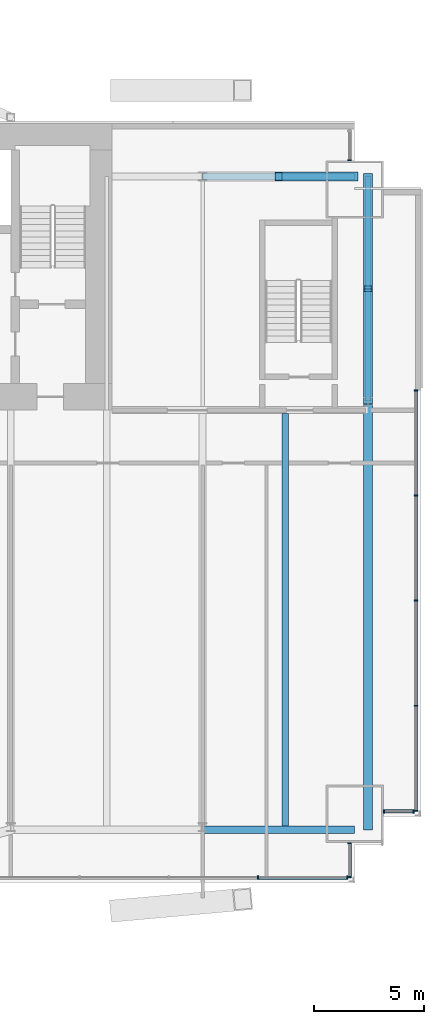
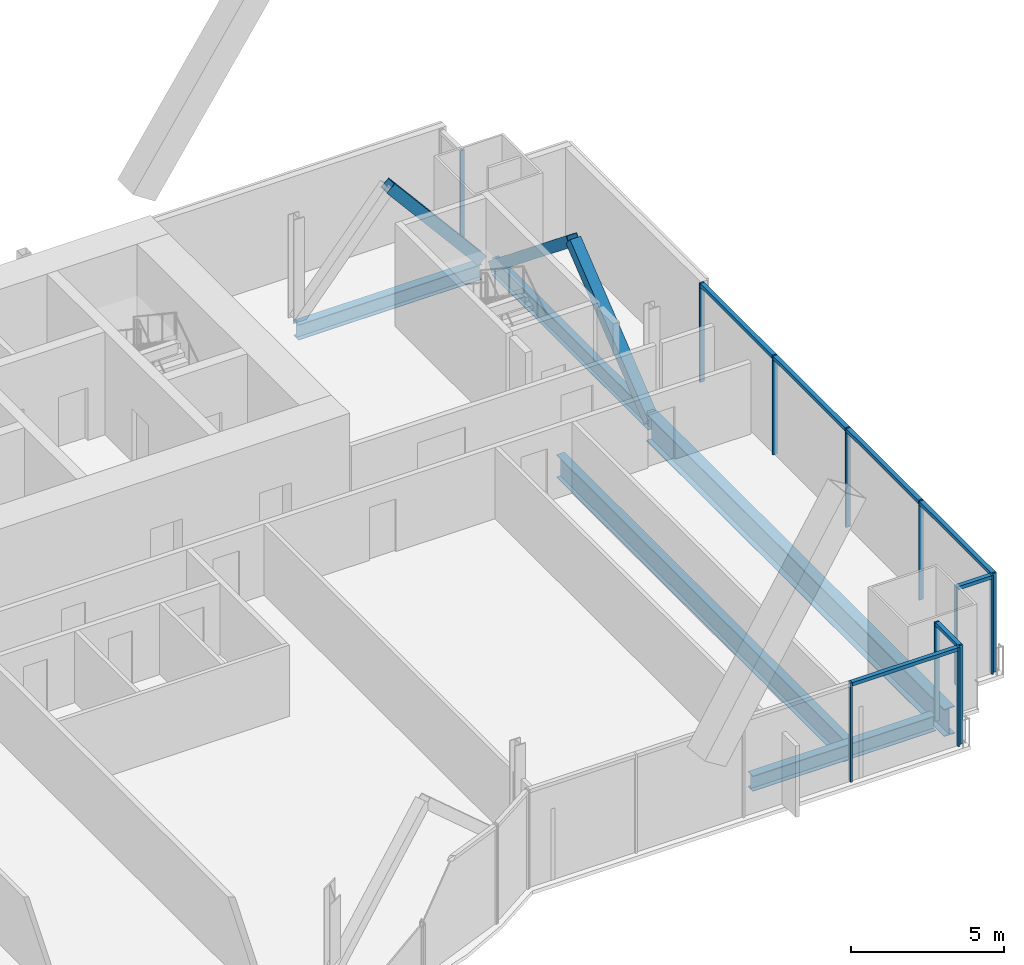
# One storey, part 13 of 22: 22 members, 5 beams, 5 elements without a shape of their own.
"""IFC4 building model written with IfcOpenShell, lengths in metres."""

from ifc_helpers import new_model, si_unit, direction, frame, origin, origin_2d, place, context, subcontext, project, spatial, rectangle, hollow_rectangle, i_section, extrude, material, material_profile, profile_set, type_object, element, aggregate, save


model = new_model("IFC4")

# Units and contexts
model_context = context("Model", 3, precision=1e-05, world=origin(), true_north=direction((0.0, 1.0)))
body_context = subcontext(model_context, "Body", "Model", "MODEL_VIEW")
ifc_project = project(units=[si_unit("LENGTHUNIT", "METRE"), si_unit("AREAUNIT", "SQUARE_METRE"), si_unit("VOLUMEUNIT", "CUBIC_METRE"), si_unit("PLANEANGLEUNIT", "RADIAN"), si_unit("MASSUNIT", "GRAM", prefix="KILO")], contexts=[model_context])

# Site, building, storey
site_placement = place(None, origin())
site = spatial("IfcSite", under=ifc_project, at=site_placement, CompositionType="ELEMENT")
building_placement = place(site_placement, origin())
building = spatial("IfcBuilding", under=site, at=building_placement, Name="Bicima Exchange Tower", CompositionType="ELEMENT")
storey_placement = place(building_placement, frame((0.0, 0.0, 169.10009765625)))
storey = spatial("IfcBuildingStorey", under=building, at=storey_placement, Name="L37", CompositionType="ELEMENT", Elevation=169.10009765625)

# Curtain wall, members
ifc_material_1 = material(Name="Anodised bronze aluminium", Category="aluminium")
curtain_wall_type_1 = type_object("IfcCurtainWallType", Name="End face glass wall", PredefinedType="NOTDEFINED", material=ifc_material_1)
curtain_wall_1_placement = place(storey_placement, origin())
curtain_wall_1 = element("IfcCurtainWall", 1, at=curtain_wall_1_placement, inside=storey, type_object=curtain_wall_type_1, Name="End face glass wall L37 run 19", PredefinedType="NOTDEFINED")
ifc_material_profile_1 = material_profile(ifc_material_1, rectangle(XDim=0.159912109375, YDim=0.06005859375, at=origin_2d()))
ifc_profile_set_1 = profile_set([ifc_material_profile_1], Name="Anodised bronze aluminium")
member_type_1 = type_object("IfcMemberType", Name="End face glass wall mullion 60 x 160", PredefinedType="MULLION", material=ifc_profile_set_1)
member_1_placement = place(storey_placement, frame((35.77001953125, -31.176025390625, 0.0), z_axis=(0.0, 0.0, 1.0), x_axis=(-1.0, 0.0, 0.0)))
member_1 = element("IfcMember", 2, at=member_1_placement, type_object=member_type_1, Name="End face glass wall mullion 1", PredefinedType="MULLION", context=body_context, shape_type="SweptSolid", body=[
    extrude(rectangle(XDim=0.159912109375, YDim=0.06005859375, at=origin_2d()), origin(), (0.0, 0.0, 1.0), 3.949951171875),
])
member_2_placement = place(storey_placement, frame((35.77001953125, -26.409423828125, 0.0), z_axis=(0.0, 0.0, 1.0), x_axis=(-1.0, 0.0, 0.0)))
member_2 = element("IfcMember", 3, at=member_2_placement, type_object=member_type_1, Name="End face glass wall mullion 2", PredefinedType="MULLION", context=body_context, shape_type="SweptSolid", body=[
    extrude(rectangle(XDim=0.159912109375, YDim=0.06005859375, at=origin_2d()), origin(), (0.0, 0.0, 1.0), 3.949951171875),
])
member_3_placement = place(storey_placement, frame((35.77001953125, -21.64306640625, 0.0), z_axis=(0.0, 0.0, 1.0), x_axis=(-1.0, 0.0, 0.0)))
member_3 = element("IfcMember", 4, at=member_3_placement, type_object=member_type_1, Name="End face glass wall mullion 3", PredefinedType="MULLION", context=body_context, shape_type="SweptSolid", body=[
    extrude(rectangle(XDim=0.159912109375, YDim=0.06005859375, at=origin_2d()), origin(), (0.0, 0.0, 1.0), 3.949951171875),
])
member_4_placement = place(storey_placement, frame((35.77001953125, -16.87646484375, 0.0), z_axis=(0.0, 0.0, 1.0), x_axis=(-1.0, 0.0, 0.0)))
member_4 = element("IfcMember", 5, at=member_4_placement, type_object=member_type_1, Name="End face glass wall mullion 4", PredefinedType="MULLION", context=body_context, shape_type="SweptSolid", body=[
    extrude(rectangle(XDim=0.159912109375, YDim=0.06005859375, at=origin_2d()), origin(), (0.0, 0.0, 1.0), 3.949951171875),
])
member_5_placement = place(storey_placement, frame((35.77001953125, -12.110107421875, 0.0), z_axis=(0.0, 0.0, 1.0), x_axis=(-1.0, 0.0, 0.0)))
member_5 = element("IfcMember", 6, at=member_5_placement, type_object=member_type_1, Name="End face glass wall mullion 5", PredefinedType="MULLION", context=body_context, shape_type="SweptSolid", body=[
    extrude(rectangle(XDim=0.159912109375, YDim=0.06005859375, at=origin_2d()), origin(), (0.0, 0.0, 1.0), 3.949951171875),
])
ifc_material_profile_2 = material_profile(ifc_material_1, rectangle(XDim=0.159912109375, YDim=0.139892578125, at=origin_2d()))
ifc_profile_set_2 = profile_set([ifc_material_profile_2], Name="Anodised bronze aluminium")
member_type_2 = type_object("IfcMemberType", Name="End face glass wall transom 140 x 160", PredefinedType="USERDEFINED", material=ifc_profile_set_2)
member_6_placement = place(storey_placement, frame((35.77001953125, -31.14599609375, 3.8798828125), z_axis=(0.0, 1.0, 0.0), x_axis=(-1.0, 0.0, 0.0)))
member_6 = element("IfcMember", 7, at=member_6_placement, type_object=member_type_2, Name="End face glass wall transom 1.1", ObjectType="TRANSOM", PredefinedType="USERDEFINED", context=body_context, shape_type="SweptSolid", body=[
    extrude(rectangle(XDim=0.159912109375, YDim=0.139892578125, at=origin_2d()), origin(), (0.0, 0.0, 1.0), 4.70654296875),
])
member_7_placement = place(storey_placement, frame((35.77001953125, -26.37939453125, 3.8798828125), z_axis=(0.0, 1.0, 0.0), x_axis=(-1.0, 0.0, 0.0)))
member_7 = element("IfcMember", 8, at=member_7_placement, type_object=member_type_2, Name="End face glass wall transom 2.1", ObjectType="TRANSOM", PredefinedType="USERDEFINED", context=body_context, shape_type="SweptSolid", body=[
    extrude(rectangle(XDim=0.159912109375, YDim=0.139892578125, at=origin_2d()), origin(), (0.0, 0.0, 1.0), 4.706298828125),
])
member_8_placement = place(storey_placement, frame((35.77001953125, -21.613037109375, 3.8798828125), z_axis=(0.0, 1.0, 0.0), x_axis=(-1.0, 0.0, 0.0)))
member_8 = element("IfcMember", 9, at=member_8_placement, type_object=member_type_2, Name="End face glass wall transom 3.1", ObjectType="TRANSOM", PredefinedType="USERDEFINED", context=body_context, shape_type="SweptSolid", body=[
    extrude(rectangle(XDim=0.159912109375, YDim=0.139892578125, at=origin_2d()), origin(), (0.0, 0.0, 1.0), 4.70654296875),
])
member_9_placement = place(storey_placement, frame((35.77001953125, -16.846435546875, 3.8798828125), z_axis=(0.0, 1.0, 0.0), x_axis=(-1.0, 0.0, 0.0)))
member_9 = element("IfcMember", 10, at=member_9_placement, type_object=member_type_2, Name="End face glass wall transom 4.1", ObjectType="TRANSOM", PredefinedType="USERDEFINED", context=body_context, shape_type="SweptSolid", body=[
    extrude(rectangle(XDim=0.159912109375, YDim=0.139892578125, at=origin_2d()), origin(), (0.0, 0.0, 1.0), 4.70654296875),
])
aggregate(curtain_wall_1, [member_1, member_2, member_3, member_4, member_5, member_6, member_7, member_8, member_9])

# Beams
ifc_material_2 = material(Name="Steel ASTM A992 Gr 50", Category="steel")
ifc_material_profile_3 = material_profile(ifc_material_2, i_section(OverallWidth=0.256591796875, OverallDepth=0.693359375, WebThickness=0.014404296875, FlangeThickness=0.023681640625, at=origin_2d()))
ifc_profile_set_3 = profile_set([ifc_material_profile_3], Name="Steel ASTM A992 Gr 50")
beam_type_1 = type_object("IfcBeamType", Name="End girder W27x114", PredefinedType="BEAM", material=ifc_profile_set_3)
beam_1_placement = place(storey_placement, frame((33.60009765625, -2.39990234375, -0.496826171875), z_axis=(0.0, -1.0, 0.0), x_axis=(1.0, 0.0, 0.0)))
element("IfcBeam", 11, at=beam_1_placement, inside=storey, type_object=beam_type_1, Name="End girder", PredefinedType="BEAM", context=body_context, shape_type="SweptSolid", body=[
    extrude(i_section(OverallWidth=0.256591796875, OverallDepth=0.693359375, WebThickness=0.014404296875, FlangeThickness=0.023681640625, at=origin_2d()), origin(), (0.0, 0.0, 1.0), 10.2001953125),
])
ifc_material_profile_4 = material_profile(ifc_material_2, i_section(OverallWidth=0.4013671875, OverallDepth=1.089599609375, WebThickness=0.01806640625, FlangeThickness=0.031005859375, at=origin_2d()))
ifc_profile_set_4 = profile_set([ifc_material_profile_4], Name="Steel ASTM A992 Gr 50")
beam_type_2 = type_object("IfcBeamType", Name="End girder W44x230", PredefinedType="BEAM", material=ifc_profile_set_4)
beam_2_placement = place(storey_placement, frame((33.60009765625, -12.60009765625, -0.69482421875), z_axis=(0.0, -1.0, 0.0), x_axis=(1.0, 0.0, 0.0)))
element("IfcBeam", 12, at=beam_2_placement, inside=storey, type_object=beam_type_2, Name="End girder", PredefinedType="BEAM", context=body_context, shape_type="SweptSolid", body=[
    extrude(i_section(OverallWidth=0.4013671875, OverallDepth=1.089599609375, WebThickness=0.01806640625, FlangeThickness=0.031005859375, at=origin_2d()), origin(), (0.0, 0.0, 1.0), 19.435791015625),
])
ifc_material_profile_5 = material_profile(ifc_material_2, i_section(OverallWidth=0.3046875, OverallDepth=0.904296875, WebThickness=0.01513671875, FlangeThickness=0.02001953125, at=origin_2d()))
ifc_profile_set_5 = profile_set([ifc_material_profile_5], Name="Steel ASTM A992 Gr 50")
beam_type_3 = type_object("IfcBeamType", Name="Floor beam W36x135", PredefinedType="JOIST", material=ifc_profile_set_5)
beam_3_placement = place(storey_placement, frame((29.85009765625, -13.15234375, -0.602294921875), z_axis=(0.0, -1.0, 0.0), x_axis=(1.0, 0.0, 0.0)))
element("IfcBeam", 13, at=beam_3_placement, inside=storey, type_object=beam_type_3, Name="Floor beam", PredefinedType="JOIST", context=body_context, shape_type="SweptSolid", body=[
    extrude(i_section(OverallWidth=0.3046875, OverallDepth=0.904296875, WebThickness=0.01513671875, FlangeThickness=0.02001953125, at=origin_2d()), origin(), (0.0, 0.0, 1.0), 18.720947265625),
])
ifc_material_profile_6 = material_profile(ifc_material_2, i_section(OverallWidth=0.3251953125, OverallDepth=0.612060546875, WebThickness=0.0126953125, FlangeThickness=0.01904296875, at=origin_2d()))
ifc_profile_set_6 = profile_set([ifc_material_profile_6], Name="Steel ASTM A992 Gr 50")
beam_type_4 = type_object("IfcBeamType", Name="Front girder W24x104", PredefinedType="BEAM", material=ifc_profile_set_6)
beam_4_placement = place(storey_placement, frame((26.10009765625, -32.035888671875, -0.456298828125), z_axis=(1.0, 0.0, 0.0), x_axis=(0.0, 1.0, 0.0)))
element("IfcBeam", 14, at=beam_4_placement, inside=storey, type_object=beam_type_4, Name="Front girder", PredefinedType="BEAM", context=body_context, shape_type="SweptSolid", body=[
    extrude(i_section(OverallWidth=0.3251953125, OverallDepth=0.612060546875, WebThickness=0.0126953125, FlangeThickness=0.01904296875, at=origin_2d()), origin(), (0.0, 0.0, 1.0), 6.89990234375),
])

# Curtain wall, members
curtain_wall_type_2 = type_object("IfcCurtainWallType", Name="Front glass wall", PredefinedType="NOTDEFINED", material=ifc_material_1)
curtain_wall_2_placement = place(storey_placement, origin())
curtain_wall_2 = element("IfcCurtainWall", 15, at=curtain_wall_2_placement, inside=storey, type_object=curtain_wall_type_2, Name="Front glass wall L37 run 16", PredefinedType="NOTDEFINED")
member_type_3 = type_object("IfcMemberType", Name="Front glass wall mullion 60 x 160", PredefinedType="MULLION", material=ifc_profile_set_1)
member_10_placement = place(storey_placement, frame((28.610595703125, -34.2060546875, 0.0), z_axis=(0.0, 0.0, 1.0), x_axis=(0.0, 1.0, 0.0)))
member_10 = element("IfcMember", 16, at=member_10_placement, type_object=member_type_3, Name="Front glass wall mullion 4", PredefinedType="MULLION", context=body_context, shape_type="SweptSolid", body=[
    extrude(rectangle(XDim=0.159912109375, YDim=0.06005859375, at=origin_2d()), origin(), (0.0, 0.0, 1.0), 3.949951171875),
])
member_11_placement = place(storey_placement, frame((32.659912109375, -34.2060546875, 0.0), z_axis=(0.0, 0.0, 1.0), x_axis=(0.0, 1.0, 0.0)))
member_11 = element("IfcMember", 17, at=member_11_placement, type_object=member_type_3, Name="Front glass wall mullion 5", PredefinedType="MULLION", context=body_context, shape_type="SweptSolid", body=[
    extrude(rectangle(XDim=0.159912109375, YDim=0.06005859375, at=origin_2d()), origin(), (0.0, 0.0, 1.0), 3.949951171875),
])

curtain_wall_3_placement = place(storey_placement, origin())
curtain_wall_3 = element("IfcCurtainWall", 18, at=curtain_wall_3_placement, inside=storey, type_object=curtain_wall_type_2, Name="Front glass wall L37 run 17", PredefinedType="NOTDEFINED")
member_12_placement = place(storey_placement, frame((32.77001953125, -34.176025390625, 0.0), z_axis=(0.0, 0.0, 1.0), x_axis=(-1.0, 0.0, 0.0)))
member_12 = element("IfcMember", 19, at=member_12_placement, type_object=member_type_3, Name="Front glass wall mullion 1", PredefinedType="MULLION", context=body_context, shape_type="SweptSolid", body=[
    extrude(rectangle(XDim=0.159912109375, YDim=0.06005859375, at=origin_2d()), origin(), (0.0, 0.0, 1.0), 3.949951171875),
])
member_13_placement = place(storey_placement, frame((32.77001953125, -32.64404296875, 0.0), z_axis=(0.0, 0.0, 1.0), x_axis=(-1.0, 0.0, 0.0)))
member_13 = element("IfcMember", 20, at=member_13_placement, type_object=member_type_3, Name="Front glass wall mullion 2", PredefinedType="MULLION", context=body_context, shape_type="SweptSolid", body=[
    extrude(rectangle(XDim=0.159912109375, YDim=0.06005859375, at=origin_2d()), origin(), (0.0, 0.0, 1.0), 3.949951171875),
])

curtain_wall_4_placement = place(storey_placement, origin())
curtain_wall_4 = element("IfcCurtainWall", 21, at=curtain_wall_4_placement, inside=storey, type_object=curtain_wall_type_2, Name="Front glass wall L37 run 18", PredefinedType="NOTDEFINED")
member_14_placement = place(storey_placement, frame((34.330078125, -31.2060546875, 0.0), z_axis=(0.0, 0.0, 1.0), x_axis=(0.0, 1.0, 0.0)))
member_14 = element("IfcMember", 22, at=member_14_placement, type_object=member_type_3, Name="Front glass wall mullion 1", PredefinedType="MULLION", context=body_context, shape_type="SweptSolid", body=[
    extrude(rectangle(XDim=0.159912109375, YDim=0.06005859375, at=origin_2d()), origin(), (0.0, 0.0, 1.0), 3.949951171875),
])
member_15_placement = place(storey_placement, frame((35.659912109375, -31.2060546875, 0.0), z_axis=(0.0, 0.0, 1.0), x_axis=(0.0, 1.0, 0.0)))
member_15 = element("IfcMember", 23, at=member_15_placement, type_object=member_type_3, Name="Front glass wall mullion 2", PredefinedType="MULLION", context=body_context, shape_type="SweptSolid", body=[
    extrude(rectangle(XDim=0.159912109375, YDim=0.06005859375, at=origin_2d()), origin(), (0.0, 0.0, 1.0), 3.949951171875),
])

# Curtain wall, member
curtain_wall_5_placement = place(storey_placement, origin())
curtain_wall_5 = element("IfcCurtainWall", 24, at=curtain_wall_5_placement, inside=storey, type_object=curtain_wall_type_2, Name="Front glass wall L37 run 20", PredefinedType="NOTDEFINED")
member_16_placement = place(storey_placement, frame((32.77001953125, -1.669921875, 0.0), z_axis=(0.0, 0.0, 1.0), x_axis=(-1.0, 0.0, 0.0)))
member_16 = element("IfcMember", 25, at=member_16_placement, type_object=member_type_3, Name="Front glass wall mullion 1", PredefinedType="MULLION", context=body_context, shape_type="SweptSolid", body=[
    extrude(rectangle(XDim=0.159912109375, YDim=0.06005859375, at=origin_2d()), origin(), (0.0, 0.0, 1.0), 3.949951171875),
])
aggregate(curtain_wall_5, [member_16])

# Member
member_type_4 = type_object("IfcMemberType", Name="Front glass wall transom 140 x 160", PredefinedType="USERDEFINED", material=ifc_profile_set_2)
member_17_placement = place(storey_placement, frame((28.640380859375, -34.2060546875, 3.8798828125), z_axis=(1.0, 0.0, 0.0), x_axis=(0.0, 1.0, 0.0)))
member_17 = element("IfcMember", 26, at=member_17_placement, type_object=member_type_4, Name="Front glass wall transom 4.1", ObjectType="TRANSOM", PredefinedType="USERDEFINED", context=body_context, shape_type="SweptSolid", body=[
    extrude(rectangle(XDim=0.159912109375, YDim=0.139892578125, at=origin_2d()), origin(), (0.0, 0.0, 1.0), 3.989501953125),
])

aggregate(curtain_wall_2, [member_10, member_11, member_17])

member_18_placement = place(storey_placement, frame((32.77001953125, -34.14599609375, 3.8798828125), z_axis=(0.0, 1.0, 0.0), x_axis=(-1.0, 0.0, 0.0)))
member_18 = element("IfcMember", 27, at=member_18_placement, type_object=member_type_4, Name="Front glass wall transom 1.1", ObjectType="TRANSOM", PredefinedType="USERDEFINED", context=body_context, shape_type="SweptSolid", body=[
    extrude(rectangle(XDim=0.159912109375, YDim=0.139892578125, at=origin_2d()), origin(), (0.0, 0.0, 1.0), 1.471923828125),
])

aggregate(curtain_wall_3, [member_12, member_13, member_18])

member_19_placement = place(storey_placement, frame((34.360107421875, -31.2060546875, 3.8798828125), z_axis=(1.0, 0.0, 0.0), x_axis=(0.0, 1.0, 0.0)))
member_19 = element("IfcMember", 28, at=member_19_placement, type_object=member_type_4, Name="Front glass wall transom 1.1", ObjectType="TRANSOM", PredefinedType="USERDEFINED", context=body_context, shape_type="SweptSolid", body=[
    extrude(rectangle(XDim=0.159912109375, YDim=0.139892578125, at=origin_2d()), origin(), (0.0, 0.0, 1.0), 1.269775390625),
])

aggregate(curtain_wall_4, [member_14, member_15, member_19])

# Members
ifc_material_3 = material(Name="Steel ASTM A572 Gr 50", Category="steel")
ifc_material_profile_7 = material_profile(ifc_material_3, hollow_rectangle(XDim=0.406494140625, YDim=0.406494140625, WallThickness=0.017822265625, at=origin_2d()))
ifc_profile_set_7 = profile_set([ifc_material_profile_7], Name="Steel ASTM A572 Gr 50")
member_type_5 = type_object("IfcMemberType", Name="Mega brace HSS16x16x3/4", PredefinedType="BRACE", material=ifc_profile_set_7)
member_20_placement = place(storey_placement, frame((33.0, -2.39990234375, 0.0), z_axis=(-0.643856488545, 0.0, 0.765146275008), x_axis=(0.0, -1.0, 0.0)))
element("IfcMember", 29, at=member_20_placement, inside=storey, type_object=member_type_5, Name="Mega brace rear", PredefinedType="BRACE", context=body_context, shape_type="SweptSolid", body=[
    extrude(hollow_rectangle(XDim=0.406494140625, YDim=0.406494140625, WallThickness=0.017822265625, at=origin_2d()), origin(), (0.0, 0.0, 1.0), 5.358154296875),
])
for number, where, z_axis, x_axis, name in (
    (30, (33.60009765625, -2.39990234375, -0.496826171875), (0.0, -0.779374241895, 0.626558689247), (1.0, 0.0, 0.0), "Mega brace east end"),
    (31, (33.60009765625, -12.60009765625, -0.496826171875), (0.0, 0.779374241895, 0.626558689247), (-1.0, 0.0, 0.0), "Mega brace east end"),
):
    element("IfcMember", number, at=place(storey_placement, frame(where, z_axis=z_axis, x_axis=x_axis)), inside=storey, type_object=member_type_5, Name=name, PredefinedType="BRACE", context=body_context, shape_type="SweptSolid", body=[
        extrude(hollow_rectangle(XDim=0.406494140625, YDim=0.406494140625, WallThickness=0.017822265625, at=origin_2d()), origin(), (0.0, 0.0, 1.0), 6.5439453125),
    ])

# Beam
beam_type_5 = type_object("IfcBeamType", Name="Rear girder W24x104", PredefinedType="BEAM", material=ifc_profile_set_6)
beam_5_placement = place(storey_placement, frame((26.10009765625, -2.39990234375, -0.456298828125), z_axis=(1.0, 0.0, 0.0), x_axis=(0.0, 1.0, 0.0)))
element("IfcBeam", 32, at=beam_5_placement, inside=storey, type_object=beam_type_5, Name="Rear girder", PredefinedType="BEAM", context=body_context, shape_type="SweptSolid", body=[
    extrude(i_section(OverallWidth=0.3251953125, OverallDepth=0.612060546875, WebThickness=0.0126953125, FlangeThickness=0.01904296875, at=origin_2d()), origin(), (0.0, 0.0, 1.0), 6.89990234375),
])

save(model, "model.ifc")
